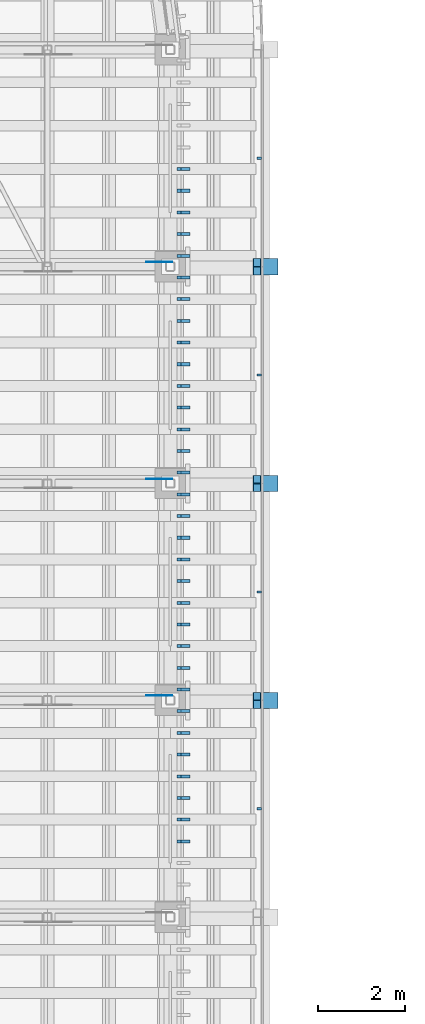
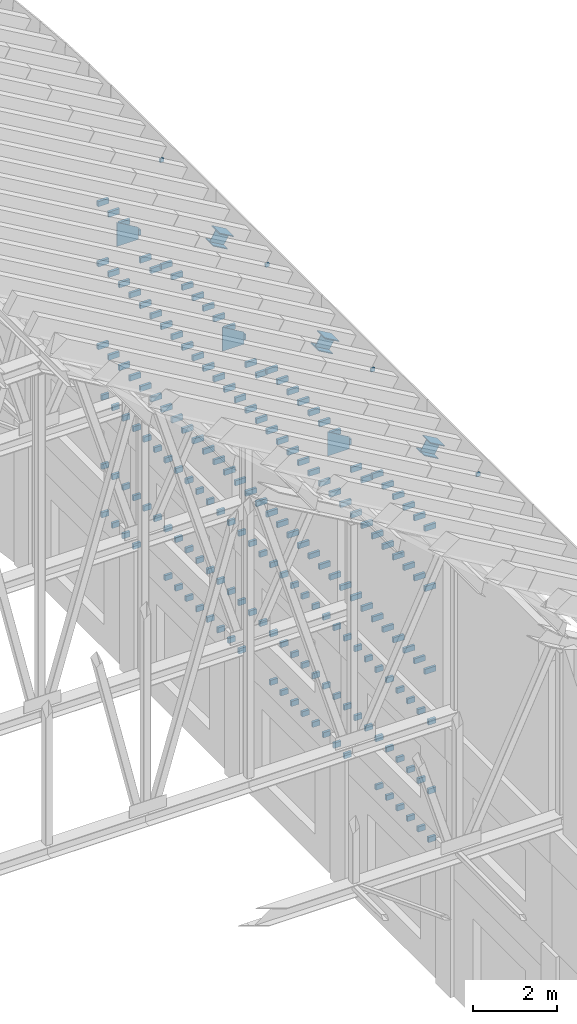
# One storey, part 76 of 105: 196 discrete accessories.
"""IFC4 building model written with IfcOpenShell, lengths in metres."""

from ifc_helpers import new_model, si_unit, direction, frame, origin, origin_2d, place, context, subcontext, project, spatial, polyline, rectangle, i_section, outline, extrude, material, material_profile, profile_set, type_object, element, save


model = new_model("IFC4")

# Units and contexts
model_context = context("Model", 3, precision=1e-05, world=origin(), true_north=direction((0.0, 1.0)))
body_context = subcontext(model_context, "Body", "Model", "MODEL_VIEW")
ifc_project = project(units=[si_unit("LENGTHUNIT", "METRE"), si_unit("AREAUNIT", "SQUARE_METRE"), si_unit("VOLUMEUNIT", "CUBIC_METRE"), si_unit("PLANEANGLEUNIT", "RADIAN"), si_unit("MASSUNIT", "GRAM", prefix="KILO")], contexts=[model_context])

# Site, building, storey
site_placement = place(None, origin())
site = spatial("IfcSite", under=ifc_project, at=site_placement, CompositionType="ELEMENT")
building_placement = place(site_placement, origin())
building = spatial("IfcBuilding", under=site, at=building_placement, Name="Wasatch Bagh Community Centre", CompositionType="ELEMENT")
storey_placement = place(building_placement, frame((0.0, 0.0, 16.800048828125)))
storey = spatial("IfcBuildingStorey", under=building, at=storey_placement, Name="L04", CompositionType="ELEMENT", Elevation=16.800048828125)

# Discrete accessories
ifc_material_1 = material(Name="ASTM A36 steel", Category="steel")
discrete_accessory_type_1 = type_object("IfcDiscreteAccessoryType", Name="MH fascia bracket", PredefinedType="BRACKET", material=ifc_material_1)
for number, where, z_axis, x_axis, name in (
    (1, (56.800048828125, 62.5, 12.537353515625), (0.0, 0.0, 1.0), (1.0, 0.0, 0.0), "Fascia bracket 161"),
    (2, (56.800048828125, 57.5, 12.537353515625), (0.0, 0.0, 1.0), (1.0, 0.0, 0.0), "Fascia bracket 162"),
    (3, (56.800048828125, 52.5, 12.537353515625), (0.0, 0.0, 1.0), (1.0, 0.0, 0.0), "Fascia bracket 163"),
    (4, (56.800048828125, 47.5, 12.537353515625), (0.0, 0.0, 1.0), (1.0, 0.0, 0.0), "Fascia bracket 164"),
):
    element("IfcDiscreteAccessory", number, at=place(storey_placement, frame(where, z_axis=z_axis, x_axis=x_axis)), inside=storey, type_object=discrete_accessory_type_1, Name=name, PredefinedType="BRACKET", context=body_context, shape_type="SweptSolid", body=[
        extrude(rectangle(XDim=0.10009765625, YDim=0.050048828125, at=origin_2d()), origin(), (0.0, 0.0, 1.0), 0.10009765625),
    ])
discrete_accessory_type_2 = type_object("IfcDiscreteAccessoryType", Name="MH fin bracket", PredefinedType="BRACKET", material=ifc_material_1)
for number, where, z_axis, x_axis, name in (
    (5, (55.10009765625, 46.75, 3.02490234375), (0.0, 0.0, 1.0), (0.0, 1.0, 0.0), "Fin bracket 15.4.4"),
    (6, (55.10009765625, 46.75, 4.425048828125), (0.0, 0.0, 1.0), (0.0, 1.0, 0.0), "Fin bracket 15.4.5"),
    (7, (55.10009765625, 46.75, 6.425048828125), (0.0, 0.0, 1.0), (0.0, 1.0, 0.0), "Fin bracket 15.4.6"),
    (8, (55.10009765625, 47.25, 3.02490234375), (0.0, 0.0, 1.0), (0.0, 1.0, 0.0), "Fin bracket 15.5.4"),
    (9, (55.10009765625, 47.25, 4.425048828125), (0.0, 0.0, 1.0), (0.0, 1.0, 0.0), "Fin bracket 15.5.5"),
    (10, (55.10009765625, 47.25, 6.425048828125), (0.0, 0.0, 1.0), (0.0, 1.0, 0.0), "Fin bracket 15.5.6"),
    (11, (55.10009765625, 47.75, 3.02490234375), (0.0, 0.0, 1.0), (0.0, 1.0, 0.0), "Fin bracket 15.6.4"),
    (12, (55.10009765625, 47.75, 4.425048828125), (0.0, 0.0, 1.0), (0.0, 1.0, 0.0), "Fin bracket 15.6.5"),
    (13, (55.10009765625, 47.75, 6.425048828125), (0.0, 0.0, 1.0), (0.0, 1.0, 0.0), "Fin bracket 15.6.6"),
    (14, (55.10009765625, 48.25, 3.02490234375), (0.0, 0.0, 1.0), (0.0, 1.0, 0.0), "Fin bracket 15.7.4"),
    (15, (55.10009765625, 48.25, 4.425048828125), (0.0, 0.0, 1.0), (0.0, 1.0, 0.0), "Fin bracket 15.7.5"),
    (16, (55.10009765625, 48.25, 6.425048828125), (0.0, 0.0, 1.0), (0.0, 1.0, 0.0), "Fin bracket 15.7.6"),
    (17, (55.10009765625, 48.75, 3.02490234375), (0.0, 0.0, 1.0), (0.0, 1.0, 0.0), "Fin bracket 15.8.4"),
    (18, (55.10009765625, 48.75, 4.425048828125), (0.0, 0.0, 1.0), (0.0, 1.0, 0.0), "Fin bracket 15.8.5"),
    (19, (55.10009765625, 48.75, 6.425048828125), (0.0, 0.0, 1.0), (0.0, 1.0, 0.0), "Fin bracket 15.8.6"),
    (20, (55.10009765625, 49.25, 3.02490234375), (0.0, 0.0, 1.0), (0.0, 1.0, 0.0), "Fin bracket 15.9.4"),
    (21, (55.10009765625, 49.25, 4.425048828125), (0.0, 0.0, 1.0), (0.0, 1.0, 0.0), "Fin bracket 15.9.5"),
    (22, (55.10009765625, 49.25, 6.425048828125), (0.0, 0.0, 1.0), (0.0, 1.0, 0.0), "Fin bracket 15.9.6"),
    (23, (55.10009765625, 49.75, 4.425048828125), (0.0, 0.0, 1.0), (0.0, 1.0, 0.0), "Fin bracket 15.10.5"),
    (24, (55.10009765625, 49.75, 6.425048828125), (0.0, 0.0, 1.0), (0.0, 1.0, 0.0), "Fin bracket 15.10.6"),
    (25, (55.10009765625, 50.25, 4.425048828125), (0.0, 0.0, 1.0), (0.0, 1.0, 0.0), "Fin bracket 16.1.5"),
    (26, (55.10009765625, 50.25, 6.425048828125), (0.0, 0.0, 1.0), (0.0, 1.0, 0.0), "Fin bracket 16.1.6"),
    (27, (55.10009765625, 50.75, 3.02490234375), (0.0, 0.0, 1.0), (0.0, 1.0, 0.0), "Fin bracket 16.2.4"),
    (28, (55.10009765625, 50.75, 4.425048828125), (0.0, 0.0, 1.0), (0.0, 1.0, 0.0), "Fin bracket 16.2.5"),
    (29, (55.10009765625, 50.75, 6.425048828125), (0.0, 0.0, 1.0), (0.0, 1.0, 0.0), "Fin bracket 16.2.6"),
    (30, (55.10009765625, 51.25, 3.02490234375), (0.0, 0.0, 1.0), (0.0, 1.0, 0.0), "Fin bracket 16.3.4"),
    (31, (55.10009765625, 51.25, 4.425048828125), (0.0, 0.0, 1.0), (0.0, 1.0, 0.0), "Fin bracket 16.3.5"),
    (32, (55.10009765625, 51.25, 6.425048828125), (0.0, 0.0, 1.0), (0.0, 1.0, 0.0), "Fin bracket 16.3.6"),
    (33, (55.10009765625, 51.75, 3.02490234375), (0.0, 0.0, 1.0), (0.0, 1.0, 0.0), "Fin bracket 16.4.4"),
    (34, (55.10009765625, 51.75, 4.425048828125), (0.0, 0.0, 1.0), (0.0, 1.0, 0.0), "Fin bracket 16.4.5"),
    (35, (55.10009765625, 51.75, 6.425048828125), (0.0, 0.0, 1.0), (0.0, 1.0, 0.0), "Fin bracket 16.4.6"),
    (36, (55.10009765625, 52.25, 3.02490234375), (0.0, 0.0, 1.0), (0.0, 1.0, 0.0), "Fin bracket 16.5.4"),
    (37, (55.10009765625, 52.25, 4.425048828125), (0.0, 0.0, 1.0), (0.0, 1.0, 0.0), "Fin bracket 16.5.5"),
    (38, (55.10009765625, 52.25, 6.425048828125), (0.0, 0.0, 1.0), (0.0, 1.0, 0.0), "Fin bracket 16.5.6"),
    (39, (55.10009765625, 52.75, 3.02490234375), (0.0, 0.0, 1.0), (0.0, 1.0, 0.0), "Fin bracket 16.6.4"),
    (40, (55.10009765625, 52.75, 4.425048828125), (0.0, 0.0, 1.0), (0.0, 1.0, 0.0), "Fin bracket 16.6.5"),
    (41, (55.10009765625, 52.75, 6.425048828125), (0.0, 0.0, 1.0), (0.0, 1.0, 0.0), "Fin bracket 16.6.6"),
    (42, (55.10009765625, 53.25, 3.02490234375), (0.0, 0.0, 1.0), (0.0, 1.0, 0.0), "Fin bracket 16.7.4"),
    (43, (55.10009765625, 53.25, 4.425048828125), (0.0, 0.0, 1.0), (0.0, 1.0, 0.0), "Fin bracket 16.7.5"),
    (44, (55.10009765625, 53.25, 6.425048828125), (0.0, 0.0, 1.0), (0.0, 1.0, 0.0), "Fin bracket 16.7.6"),
    (45, (55.10009765625, 53.75, 3.02490234375), (0.0, 0.0, 1.0), (0.0, 1.0, 0.0), "Fin bracket 16.8.4"),
    (46, (55.10009765625, 53.75, 4.425048828125), (0.0, 0.0, 1.0), (0.0, 1.0, 0.0), "Fin bracket 16.8.5"),
    (47, (55.10009765625, 53.75, 6.425048828125), (0.0, 0.0, 1.0), (0.0, 1.0, 0.0), "Fin bracket 16.8.6"),
    (48, (55.10009765625, 54.25, 3.02490234375), (0.0, 0.0, 1.0), (0.0, 1.0, 0.0), "Fin bracket 16.9.4"),
    (49, (55.10009765625, 54.25, 4.425048828125), (0.0, 0.0, 1.0), (0.0, 1.0, 0.0), "Fin bracket 16.9.5"),
    (50, (55.10009765625, 54.25, 6.425048828125), (0.0, 0.0, 1.0), (0.0, 1.0, 0.0), "Fin bracket 16.9.6"),
    (51, (55.10009765625, 54.75, 4.425048828125), (0.0, 0.0, 1.0), (0.0, 1.0, 0.0), "Fin bracket 16.10.5"),
    (52, (55.10009765625, 54.75, 6.425048828125), (0.0, 0.0, 1.0), (0.0, 1.0, 0.0), "Fin bracket 16.10.6"),
    (53, (55.10009765625, 55.25, 4.425048828125), (0.0, 0.0, 1.0), (0.0, 1.0, 0.0), "Fin bracket 17.1.5"),
    (54, (55.10009765625, 55.25, 6.425048828125), (0.0, 0.0, 1.0), (0.0, 1.0, 0.0), "Fin bracket 17.1.6"),
    (55, (55.10009765625, 55.75, 3.02490234375), (0.0, 0.0, 1.0), (0.0, 1.0, 0.0), "Fin bracket 17.2.4"),
    (56, (55.10009765625, 55.75, 4.425048828125), (0.0, 0.0, 1.0), (0.0, 1.0, 0.0), "Fin bracket 17.2.5"),
    (57, (55.10009765625, 55.75, 6.425048828125), (0.0, 0.0, 1.0), (0.0, 1.0, 0.0), "Fin bracket 17.2.6"),
    (58, (55.10009765625, 56.25, 3.02490234375), (0.0, 0.0, 1.0), (0.0, 1.0, 0.0), "Fin bracket 17.3.4"),
    (59, (55.10009765625, 56.25, 4.425048828125), (0.0, 0.0, 1.0), (0.0, 1.0, 0.0), "Fin bracket 17.3.5"),
    (60, (55.10009765625, 56.25, 6.425048828125), (0.0, 0.0, 1.0), (0.0, 1.0, 0.0), "Fin bracket 17.3.6"),
    (61, (55.10009765625, 56.75, 3.02490234375), (0.0, 0.0, 1.0), (0.0, 1.0, 0.0), "Fin bracket 17.4.4"),
    (62, (55.10009765625, 56.75, 4.425048828125), (0.0, 0.0, 1.0), (0.0, 1.0, 0.0), "Fin bracket 17.4.5"),
    (63, (55.10009765625, 56.75, 6.425048828125), (0.0, 0.0, 1.0), (0.0, 1.0, 0.0), "Fin bracket 17.4.6"),
    (64, (55.10009765625, 57.25, 3.02490234375), (0.0, 0.0, 1.0), (0.0, 1.0, 0.0), "Fin bracket 17.5.4"),
    (65, (55.10009765625, 57.25, 4.425048828125), (0.0, 0.0, 1.0), (0.0, 1.0, 0.0), "Fin bracket 17.5.5"),
    (66, (55.10009765625, 57.25, 6.425048828125), (0.0, 0.0, 1.0), (0.0, 1.0, 0.0), "Fin bracket 17.5.6"),
    (67, (55.10009765625, 57.75, 3.02490234375), (0.0, 0.0, 1.0), (0.0, 1.0, 0.0), "Fin bracket 17.6.4"),
    (68, (55.10009765625, 57.75, 4.425048828125), (0.0, 0.0, 1.0), (0.0, 1.0, 0.0), "Fin bracket 17.6.5"),
    (69, (55.10009765625, 57.75, 6.425048828125), (0.0, 0.0, 1.0), (0.0, 1.0, 0.0), "Fin bracket 17.6.6"),
    (70, (55.10009765625, 58.25, 3.02490234375), (0.0, 0.0, 1.0), (0.0, 1.0, 0.0), "Fin bracket 17.7.4"),
    (71, (55.10009765625, 58.25, 4.425048828125), (0.0, 0.0, 1.0), (0.0, 1.0, 0.0), "Fin bracket 17.7.5"),
    (72, (55.10009765625, 58.25, 6.425048828125), (0.0, 0.0, 1.0), (0.0, 1.0, 0.0), "Fin bracket 17.7.6"),
    (73, (55.10009765625, 58.75, 3.02490234375), (0.0, 0.0, 1.0), (0.0, 1.0, 0.0), "Fin bracket 17.8.4"),
    (74, (55.10009765625, 58.75, 4.425048828125), (0.0, 0.0, 1.0), (0.0, 1.0, 0.0), "Fin bracket 17.8.5"),
    (75, (55.10009765625, 58.75, 6.425048828125), (0.0, 0.0, 1.0), (0.0, 1.0, 0.0), "Fin bracket 17.8.6"),
    (76, (55.10009765625, 59.25, 3.02490234375), (0.0, 0.0, 1.0), (0.0, 1.0, 0.0), "Fin bracket 17.9.4"),
    (77, (55.10009765625, 59.25, 4.425048828125), (0.0, 0.0, 1.0), (0.0, 1.0, 0.0), "Fin bracket 17.9.5"),
    (78, (55.10009765625, 59.25, 6.425048828125), (0.0, 0.0, 1.0), (0.0, 1.0, 0.0), "Fin bracket 17.9.6"),
    (79, (55.10009765625, 59.75, 4.425048828125), (0.0, 0.0, 1.0), (0.0, 1.0, 0.0), "Fin bracket 17.10.5"),
    (80, (55.10009765625, 59.75, 6.425048828125), (0.0, 0.0, 1.0), (0.0, 1.0, 0.0), "Fin bracket 17.10.6"),
    (81, (55.10009765625, 60.25, 4.425048828125), (0.0, 0.0, 1.0), (0.0, 1.0, 0.0), "Fin bracket 18.1.5"),
    (82, (55.10009765625, 60.25, 6.425048828125), (0.0, 0.0, 1.0), (0.0, 1.0, 0.0), "Fin bracket 18.1.6"),
    (83, (55.10009765625, 60.75, 3.02490234375), (0.0, 0.0, 1.0), (0.0, 1.0, 0.0), "Fin bracket 18.2.4"),
    (84, (55.10009765625, 60.75, 4.425048828125), (0.0, 0.0, 1.0), (0.0, 1.0, 0.0), "Fin bracket 18.2.5"),
    (85, (55.10009765625, 60.75, 6.425048828125), (0.0, 0.0, 1.0), (0.0, 1.0, 0.0), "Fin bracket 18.2.6"),
    (86, (55.10009765625, 61.25, 3.02490234375), (0.0, 0.0, 1.0), (0.0, 1.0, 0.0), "Fin bracket 18.3.4"),
    (87, (55.10009765625, 61.25, 4.425048828125), (0.0, 0.0, 1.0), (0.0, 1.0, 0.0), "Fin bracket 18.3.5"),
    (88, (55.10009765625, 61.25, 6.425048828125), (0.0, 0.0, 1.0), (0.0, 1.0, 0.0), "Fin bracket 18.3.6"),
    (89, (55.10009765625, 61.75, 3.02490234375), (0.0, 0.0, 1.0), (0.0, 1.0, 0.0), "Fin bracket 18.4.4"),
    (90, (55.10009765625, 61.75, 4.425048828125), (0.0, 0.0, 1.0), (0.0, 1.0, 0.0), "Fin bracket 18.4.5"),
    (91, (55.10009765625, 61.75, 6.425048828125), (0.0, 0.0, 1.0), (0.0, 1.0, 0.0), "Fin bracket 18.4.6"),
    (92, (55.10009765625, 62.25, 3.02490234375), (0.0, 0.0, 1.0), (0.0, 1.0, 0.0), "Fin bracket 18.5.4"),
    (93, (55.10009765625, 62.25, 4.425048828125), (0.0, 0.0, 1.0), (0.0, 1.0, 0.0), "Fin bracket 18.5.5"),
    (94, (55.10009765625, 62.25, 6.425048828125), (0.0, 0.0, 1.0), (0.0, 1.0, 0.0), "Fin bracket 18.5.6"),
):
    element("IfcDiscreteAccessory", number, at=place(storey_placement, frame(where, z_axis=z_axis, x_axis=x_axis)), inside=storey, type_object=discrete_accessory_type_2, Name=name, PredefinedType="BRACKET", context=body_context, shape_type="SweptSolid", body=[
        extrude(rectangle(XDim=0.070068359375, YDim=0.199951171875, at=origin_2d()), origin(), (0.0, 0.0, 1.0), 0.14990234375),
    ])
discrete_accessory_type_3 = type_object("IfcDiscreteAccessoryType", Name="MH fin bracket (upstand)", PredefinedType="BRACKET", material=ifc_material_1)
for number, where, z_axis, x_axis, name in (
    (95, (55.050048828125, 46.75, 7.925048828125), (0.0, 0.0, 1.0), (0.0, 1.0, 0.0), "Fin bracket 15.4.7"),
    (96, (55.050048828125, 46.75, 10.324951171875), (0.0, 0.0, 1.0), (0.0, 1.0, 0.0), "Fin bracket 15.4.8"),
    (97, (55.050048828125, 46.75, 12.06494140625), (0.0, 0.0, 1.0), (0.0, 1.0, 0.0), "Fin bracket 15.4.9"),
    (98, (55.050048828125, 47.25, 7.925048828125), (0.0, 0.0, 1.0), (0.0, 1.0, 0.0), "Fin bracket 15.5.7"),
    (99, (55.050048828125, 47.25, 10.324951171875), (0.0, 0.0, 1.0), (0.0, 1.0, 0.0), "Fin bracket 15.5.8"),
    (100, (55.050048828125, 47.25, 12.06494140625), (0.0, 0.0, 1.0), (0.0, 1.0, 0.0), "Fin bracket 15.5.9"),
    (101, (55.050048828125, 47.75, 7.925048828125), (0.0, 0.0, 1.0), (0.0, 1.0, 0.0), "Fin bracket 15.6.7"),
    (102, (55.050048828125, 47.75, 10.324951171875), (0.0, 0.0, 1.0), (0.0, 1.0, 0.0), "Fin bracket 15.6.8"),
    (103, (55.050048828125, 47.75, 12.06494140625), (0.0, 0.0, 1.0), (0.0, 1.0, 0.0), "Fin bracket 15.6.9"),
    (104, (55.050048828125, 48.25, 7.925048828125), (0.0, 0.0, 1.0), (0.0, 1.0, 0.0), "Fin bracket 15.7.7"),
    (105, (55.050048828125, 48.25, 10.324951171875), (0.0, 0.0, 1.0), (0.0, 1.0, 0.0), "Fin bracket 15.7.8"),
    (106, (55.050048828125, 48.25, 12.06494140625), (0.0, 0.0, 1.0), (0.0, 1.0, 0.0), "Fin bracket 15.7.9"),
    (107, (55.050048828125, 48.75, 7.925048828125), (0.0, 0.0, 1.0), (0.0, 1.0, 0.0), "Fin bracket 15.8.7"),
    (108, (55.050048828125, 48.75, 10.324951171875), (0.0, 0.0, 1.0), (0.0, 1.0, 0.0), "Fin bracket 15.8.8"),
    (109, (55.050048828125, 48.75, 12.06494140625), (0.0, 0.0, 1.0), (0.0, 1.0, 0.0), "Fin bracket 15.8.9"),
    (110, (55.050048828125, 49.25, 7.925048828125), (0.0, 0.0, 1.0), (0.0, 1.0, 0.0), "Fin bracket 15.9.7"),
    (111, (55.050048828125, 49.25, 10.324951171875), (0.0, 0.0, 1.0), (0.0, 1.0, 0.0), "Fin bracket 15.9.8"),
    (112, (55.050048828125, 49.25, 12.06494140625), (0.0, 0.0, 1.0), (0.0, 1.0, 0.0), "Fin bracket 15.9.9"),
    (113, (55.050048828125, 49.75, 7.925048828125), (0.0, 0.0, 1.0), (0.0, 1.0, 0.0), "Fin bracket 15.10.7"),
    (114, (55.050048828125, 49.75, 10.324951171875), (0.0, 0.0, 1.0), (0.0, 1.0, 0.0), "Fin bracket 15.10.8"),
    (115, (55.050048828125, 49.75, 11.64501953125), (0.0, 0.0, 1.0), (0.0, 1.0, 0.0), "Fin bracket 15.10.9"),
    (116, (55.050048828125, 50.25, 7.925048828125), (0.0, 0.0, 1.0), (0.0, 1.0, 0.0), "Fin bracket 16.1.7"),
    (117, (55.050048828125, 50.25, 10.324951171875), (0.0, 0.0, 1.0), (0.0, 1.0, 0.0), "Fin bracket 16.1.8"),
    (118, (55.050048828125, 50.25, 11.64501953125), (0.0, 0.0, 1.0), (0.0, 1.0, 0.0), "Fin bracket 16.1.9"),
    (119, (55.050048828125, 50.75, 7.925048828125), (0.0, 0.0, 1.0), (0.0, 1.0, 0.0), "Fin bracket 16.2.7"),
    (120, (55.050048828125, 50.75, 10.324951171875), (0.0, 0.0, 1.0), (0.0, 1.0, 0.0), "Fin bracket 16.2.8"),
    (121, (55.050048828125, 50.75, 12.06494140625), (0.0, 0.0, 1.0), (0.0, 1.0, 0.0), "Fin bracket 16.2.9"),
    (122, (55.050048828125, 51.25, 7.925048828125), (0.0, 0.0, 1.0), (0.0, 1.0, 0.0), "Fin bracket 16.3.7"),
    (123, (55.050048828125, 51.25, 10.324951171875), (0.0, 0.0, 1.0), (0.0, 1.0, 0.0), "Fin bracket 16.3.8"),
    (124, (55.050048828125, 51.25, 12.06494140625), (0.0, 0.0, 1.0), (0.0, 1.0, 0.0), "Fin bracket 16.3.9"),
    (125, (55.050048828125, 51.75, 7.925048828125), (0.0, 0.0, 1.0), (0.0, 1.0, 0.0), "Fin bracket 16.4.7"),
    (126, (55.050048828125, 51.75, 10.324951171875), (0.0, 0.0, 1.0), (0.0, 1.0, 0.0), "Fin bracket 16.4.8"),
    (127, (55.050048828125, 51.75, 12.06494140625), (0.0, 0.0, 1.0), (0.0, 1.0, 0.0), "Fin bracket 16.4.9"),
    (128, (55.050048828125, 52.25, 7.925048828125), (0.0, 0.0, 1.0), (0.0, 1.0, 0.0), "Fin bracket 16.5.7"),
    (129, (55.050048828125, 52.25, 10.324951171875), (0.0, 0.0, 1.0), (0.0, 1.0, 0.0), "Fin bracket 16.5.8"),
    (130, (55.050048828125, 52.25, 12.06494140625), (0.0, 0.0, 1.0), (0.0, 1.0, 0.0), "Fin bracket 16.5.9"),
    (131, (55.050048828125, 52.75, 7.925048828125), (0.0, 0.0, 1.0), (0.0, 1.0, 0.0), "Fin bracket 16.6.7"),
    (132, (55.050048828125, 52.75, 10.324951171875), (0.0, 0.0, 1.0), (0.0, 1.0, 0.0), "Fin bracket 16.6.8"),
    (133, (55.050048828125, 52.75, 12.06494140625), (0.0, 0.0, 1.0), (0.0, 1.0, 0.0), "Fin bracket 16.6.9"),
    (134, (55.050048828125, 53.25, 7.925048828125), (0.0, 0.0, 1.0), (0.0, 1.0, 0.0), "Fin bracket 16.7.7"),
    (135, (55.050048828125, 53.25, 10.324951171875), (0.0, 0.0, 1.0), (0.0, 1.0, 0.0), "Fin bracket 16.7.8"),
    (136, (55.050048828125, 53.25, 12.06494140625), (0.0, 0.0, 1.0), (0.0, 1.0, 0.0), "Fin bracket 16.7.9"),
    (137, (55.050048828125, 53.75, 7.925048828125), (0.0, 0.0, 1.0), (0.0, 1.0, 0.0), "Fin bracket 16.8.7"),
    (138, (55.050048828125, 53.75, 10.324951171875), (0.0, 0.0, 1.0), (0.0, 1.0, 0.0), "Fin bracket 16.8.8"),
    (139, (55.050048828125, 53.75, 12.06494140625), (0.0, 0.0, 1.0), (0.0, 1.0, 0.0), "Fin bracket 16.8.9"),
    (140, (55.050048828125, 54.25, 7.925048828125), (0.0, 0.0, 1.0), (0.0, 1.0, 0.0), "Fin bracket 16.9.7"),
    (141, (55.050048828125, 54.25, 10.324951171875), (0.0, 0.0, 1.0), (0.0, 1.0, 0.0), "Fin bracket 16.9.8"),
    (142, (55.050048828125, 54.25, 12.06494140625), (0.0, 0.0, 1.0), (0.0, 1.0, 0.0), "Fin bracket 16.9.9"),
    (143, (55.050048828125, 54.75, 7.925048828125), (0.0, 0.0, 1.0), (0.0, 1.0, 0.0), "Fin bracket 16.10.7"),
    (144, (55.050048828125, 54.75, 10.324951171875), (0.0, 0.0, 1.0), (0.0, 1.0, 0.0), "Fin bracket 16.10.8"),
    (145, (55.050048828125, 54.75, 11.64501953125), (0.0, 0.0, 1.0), (0.0, 1.0, 0.0), "Fin bracket 16.10.9"),
    (146, (55.050048828125, 55.25, 7.925048828125), (0.0, 0.0, 1.0), (0.0, 1.0, 0.0), "Fin bracket 17.1.7"),
    (147, (55.050048828125, 55.25, 10.324951171875), (0.0, 0.0, 1.0), (0.0, 1.0, 0.0), "Fin bracket 17.1.8"),
    (148, (55.050048828125, 55.25, 11.64501953125), (0.0, 0.0, 1.0), (0.0, 1.0, 0.0), "Fin bracket 17.1.9"),
    (149, (55.050048828125, 55.75, 7.925048828125), (0.0, 0.0, 1.0), (0.0, 1.0, 0.0), "Fin bracket 17.2.7"),
    (150, (55.050048828125, 55.75, 10.324951171875), (0.0, 0.0, 1.0), (0.0, 1.0, 0.0), "Fin bracket 17.2.8"),
    (151, (55.050048828125, 55.75, 12.06494140625), (0.0, 0.0, 1.0), (0.0, 1.0, 0.0), "Fin bracket 17.2.9"),
    (152, (55.050048828125, 56.25, 7.925048828125), (0.0, 0.0, 1.0), (0.0, 1.0, 0.0), "Fin bracket 17.3.7"),
    (153, (55.050048828125, 56.25, 10.324951171875), (0.0, 0.0, 1.0), (0.0, 1.0, 0.0), "Fin bracket 17.3.8"),
    (154, (55.050048828125, 56.25, 12.06494140625), (0.0, 0.0, 1.0), (0.0, 1.0, 0.0), "Fin bracket 17.3.9"),
    (155, (55.050048828125, 56.75, 7.925048828125), (0.0, 0.0, 1.0), (0.0, 1.0, 0.0), "Fin bracket 17.4.7"),
    (156, (55.050048828125, 56.75, 10.324951171875), (0.0, 0.0, 1.0), (0.0, 1.0, 0.0), "Fin bracket 17.4.8"),
    (157, (55.050048828125, 56.75, 12.06494140625), (0.0, 0.0, 1.0), (0.0, 1.0, 0.0), "Fin bracket 17.4.9"),
    (158, (55.050048828125, 57.25, 7.925048828125), (0.0, 0.0, 1.0), (0.0, 1.0, 0.0), "Fin bracket 17.5.7"),
    (159, (55.050048828125, 57.25, 10.324951171875), (0.0, 0.0, 1.0), (0.0, 1.0, 0.0), "Fin bracket 17.5.8"),
    (160, (55.050048828125, 57.25, 12.06494140625), (0.0, 0.0, 1.0), (0.0, 1.0, 0.0), "Fin bracket 17.5.9"),
    (161, (55.050048828125, 57.75, 7.925048828125), (0.0, 0.0, 1.0), (0.0, 1.0, 0.0), "Fin bracket 17.6.7"),
    (162, (55.050048828125, 57.75, 10.324951171875), (0.0, 0.0, 1.0), (0.0, 1.0, 0.0), "Fin bracket 17.6.8"),
    (163, (55.050048828125, 57.75, 12.06494140625), (0.0, 0.0, 1.0), (0.0, 1.0, 0.0), "Fin bracket 17.6.9"),
    (164, (55.050048828125, 58.25, 7.925048828125), (0.0, 0.0, 1.0), (0.0, 1.0, 0.0), "Fin bracket 17.7.7"),
    (165, (55.050048828125, 58.25, 10.324951171875), (0.0, 0.0, 1.0), (0.0, 1.0, 0.0), "Fin bracket 17.7.8"),
    (166, (55.050048828125, 58.25, 12.06494140625), (0.0, 0.0, 1.0), (0.0, 1.0, 0.0), "Fin bracket 17.7.9"),
    (167, (55.050048828125, 58.75, 7.925048828125), (0.0, 0.0, 1.0), (0.0, 1.0, 0.0), "Fin bracket 17.8.7"),
    (168, (55.050048828125, 58.75, 10.324951171875), (0.0, 0.0, 1.0), (0.0, 1.0, 0.0), "Fin bracket 17.8.8"),
    (169, (55.050048828125, 58.75, 12.06494140625), (0.0, 0.0, 1.0), (0.0, 1.0, 0.0), "Fin bracket 17.8.9"),
    (170, (55.050048828125, 59.25, 7.925048828125), (0.0, 0.0, 1.0), (0.0, 1.0, 0.0), "Fin bracket 17.9.7"),
    (171, (55.050048828125, 59.25, 10.324951171875), (0.0, 0.0, 1.0), (0.0, 1.0, 0.0), "Fin bracket 17.9.8"),
    (172, (55.050048828125, 59.25, 12.06494140625), (0.0, 0.0, 1.0), (0.0, 1.0, 0.0), "Fin bracket 17.9.9"),
    (173, (55.050048828125, 59.75, 7.925048828125), (0.0, 0.0, 1.0), (0.0, 1.0, 0.0), "Fin bracket 17.10.7"),
    (174, (55.050048828125, 59.75, 10.324951171875), (0.0, 0.0, 1.0), (0.0, 1.0, 0.0), "Fin bracket 17.10.8"),
    (175, (55.050048828125, 59.75, 11.64501953125), (0.0, 0.0, 1.0), (0.0, 1.0, 0.0), "Fin bracket 17.10.9"),
    (176, (55.050048828125, 60.25, 7.925048828125), (0.0, 0.0, 1.0), (0.0, 1.0, 0.0), "Fin bracket 18.1.7"),
    (177, (55.050048828125, 60.25, 10.324951171875), (0.0, 0.0, 1.0), (0.0, 1.0, 0.0), "Fin bracket 18.1.8"),
    (178, (55.050048828125, 60.25, 11.64501953125), (0.0, 0.0, 1.0), (0.0, 1.0, 0.0), "Fin bracket 18.1.9"),
    (179, (55.050048828125, 60.75, 7.925048828125), (0.0, 0.0, 1.0), (0.0, 1.0, 0.0), "Fin bracket 18.2.7"),
    (180, (55.050048828125, 60.75, 10.324951171875), (0.0, 0.0, 1.0), (0.0, 1.0, 0.0), "Fin bracket 18.2.8"),
    (181, (55.050048828125, 60.75, 12.06494140625), (0.0, 0.0, 1.0), (0.0, 1.0, 0.0), "Fin bracket 18.2.9"),
    (182, (55.050048828125, 61.25, 7.925048828125), (0.0, 0.0, 1.0), (0.0, 1.0, 0.0), "Fin bracket 18.3.7"),
    (183, (55.050048828125, 61.25, 10.324951171875), (0.0, 0.0, 1.0), (0.0, 1.0, 0.0), "Fin bracket 18.3.8"),
    (184, (55.050048828125, 61.25, 12.06494140625), (0.0, 0.0, 1.0), (0.0, 1.0, 0.0), "Fin bracket 18.3.9"),
    (185, (55.050048828125, 61.75, 7.925048828125), (0.0, 0.0, 1.0), (0.0, 1.0, 0.0), "Fin bracket 18.4.7"),
    (186, (55.050048828125, 61.75, 10.324951171875), (0.0, 0.0, 1.0), (0.0, 1.0, 0.0), "Fin bracket 18.4.8"),
    (187, (55.050048828125, 61.75, 12.06494140625), (0.0, 0.0, 1.0), (0.0, 1.0, 0.0), "Fin bracket 18.4.9"),
    (188, (55.050048828125, 62.25, 7.925048828125), (0.0, 0.0, 1.0), (0.0, 1.0, 0.0), "Fin bracket 18.5.7"),
    (189, (55.050048828125, 62.25, 10.324951171875), (0.0, 0.0, 1.0), (0.0, 1.0, 0.0), "Fin bracket 18.5.8"),
    (190, (55.050048828125, 62.25, 12.06494140625), (0.0, 0.0, 1.0), (0.0, 1.0, 0.0), "Fin bracket 18.5.9"),
):
    element("IfcDiscreteAccessory", number, at=place(storey_placement, frame(where, z_axis=z_axis, x_axis=x_axis)), inside=storey, type_object=discrete_accessory_type_3, Name=name, PredefinedType="BRACKET", context=body_context, shape_type="SweptSolid", body=[
        extrude(rectangle(XDim=0.070068359375, YDim=0.300048828125, at=origin_2d()), origin(), (0.0, 0.0, 1.0), 0.14990234375),
    ])
ifc_material_2 = material(Name="ASTM A992 Grade 50 steel", Category="steel")
ifc_material_profile = material_profile(ifc_material_2, i_section(OverallWidth=0.373291015625, OverallDepth=0.368408203125, WebThickness=0.014892578125, FlangeThickness=0.02392578125, at=origin_2d()), Name="W14x120")
ifc_profile_set = profile_set([ifc_material_profile], Name="ASTM A992 Grade 50 steel")
discrete_accessory_type_4 = type_object("IfcDiscreteAccessoryType", Name="MH steel truss tail W14x120", PredefinedType="BRACKET", material=ifc_profile_set)
for number, where, z_axis, x_axis, name in (
    (191, (56.75, 50.0, 11.925048828125), (0.866131372301, 0.0, -0.499816412211), (0.0, 1.0, 0.0), "Truss tail TA4"),
    (192, (56.75, 55.0, 11.925048828125), (0.866131372301, 0.0, -0.499816412211), (0.0, 1.0, 0.0), "Truss tail TA5"),
    (193, (56.75, 60.0, 11.925048828125), (0.866131372301, 0.0, -0.499816412211), (0.0, 1.0, 0.0), "Truss tail TA6"),
):
    element("IfcDiscreteAccessory", number, at=place(storey_placement, frame(where, z_axis=z_axis, x_axis=x_axis)), inside=storey, type_object=discrete_accessory_type_4, Name=name, PredefinedType="BRACKET", context=body_context, shape_type="SweptSolid", body=[
        extrude(i_section(OverallWidth=0.373291015625, OverallDepth=0.368408203125, WebThickness=0.014892578125, FlangeThickness=0.02392578125, at=origin_2d()), origin(), (0.0, 0.0, 1.0), 0.449951171875),
    ])
for number, where, z_axis, x_axis, name in (
    (194, (54.190673828125, 50.114013671875, 13.148193359375), (0.0, 1.0, 0.0), (0.863026486211, 0.0, -0.505158672199), "Gusset plate"),
    (195, (54.190673828125, 55.114013671875, 13.148193359375), (0.0, 1.0, 0.0), (0.863026486211, 0.0, -0.505158672199), "Gusset plate"),
    (196, (54.190673828125, 60.114013671875, 13.148193359375), (0.0, 1.0, 0.0), (0.863026486211, 0.0, -0.505158672199), "Gusset plate"),
):
    element("IfcDiscreteAccessory", number, at=place(storey_placement, frame(where, z_axis=z_axis, x_axis=x_axis)), inside=storey, Name=name, PredefinedType="BRACKET", context=body_context, shape_type="SweptSolid", body=[
        extrude(outline(polyline([(0.0, 0.0), (0.6480985008127054, 5.551115123125783e-17), (0.6951609877723173, 0.00017584376551971204), (0.8718925251897516, 0.3021086940439254), (0.35420305335859825, 0.605129899511222), (0.0, 0.0)])), origin(), (0.0, 0.0, -1.0), 0.011962890625),
    ])

save(model, "model.ifc")
